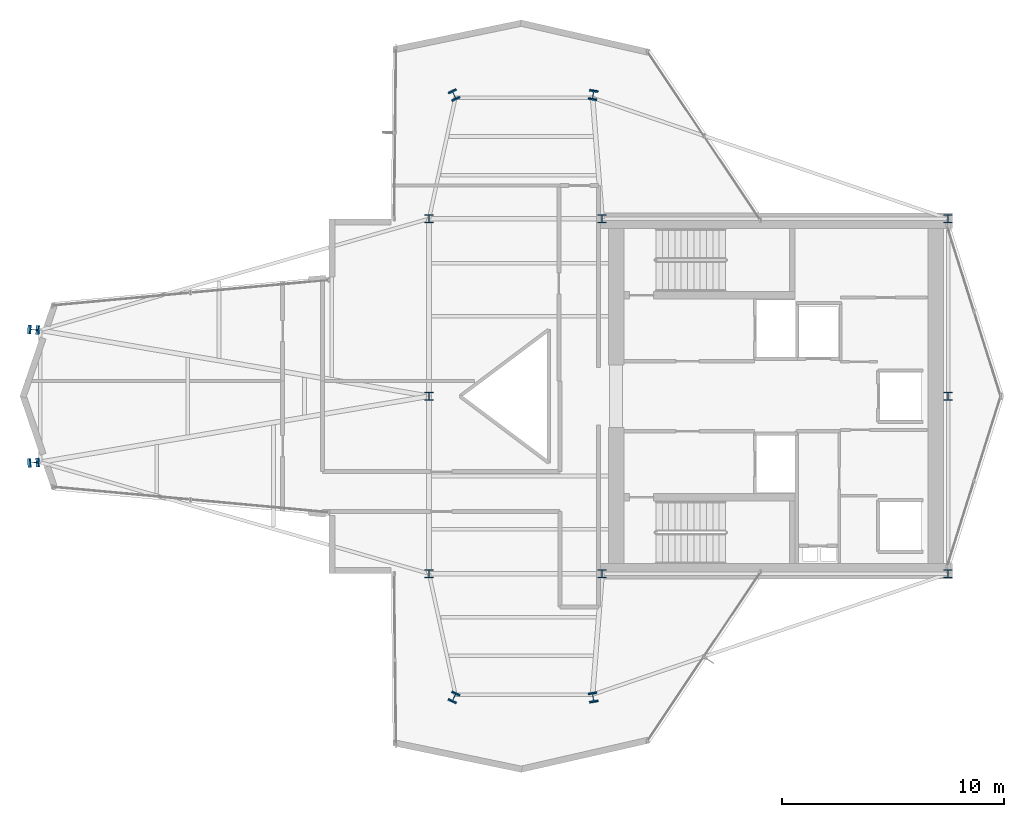
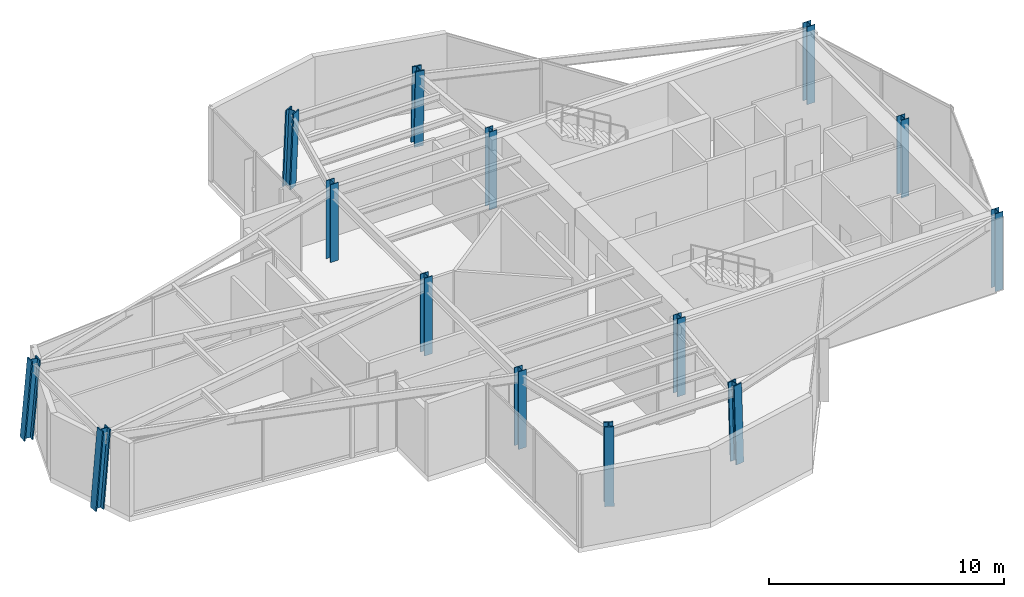
# One storey, part 1 of 21: 14 columns.
"""IFC4 building model written with IfcOpenShell, lengths in metres."""

from ifc_helpers import new_model, si_unit, direction, frame, origin, origin_2d, place, context, subcontext, project, spatial, i_section, extrude, material, material_profile, profile_set, type_object, element, save


model = new_model("IFC4")

# Units and contexts
model_context = context("Model", 3, precision=1e-05, world=origin(), true_north=direction((0.0, 1.0)))
body_context = subcontext(model_context, "Body", "Model", "MODEL_VIEW")
ifc_project = project(units=[si_unit("LENGTHUNIT", "METRE"), si_unit("AREAUNIT", "SQUARE_METRE"), si_unit("VOLUMEUNIT", "CUBIC_METRE"), si_unit("PLANEANGLEUNIT", "RADIAN"), si_unit("MASSUNIT", "GRAM", prefix="KILO")], contexts=[model_context])

# Site, building, storey
site_placement = place(None, origin())
site = spatial("IfcSite", under=ifc_project, at=site_placement, CompositionType="ELEMENT")
building_placement = place(site_placement, origin())
building = spatial("IfcBuilding", under=site, at=building_placement, Name="Veymaron Broadcast Tower", CompositionType="ELEMENT")
storey_placement = place(building_placement, frame((0.0, 0.0, 212.10009765625)))
storey = spatial("IfcBuildingStorey", under=building, at=storey_placement, Name="L49", CompositionType="ELEMENT", Elevation=212.10009765625)

# Columns
ifc_material_1 = material(Name="Structural steel ASTM A992 Gr 50", Category="steel")
ifc_material_profile_1 = material_profile(ifc_material_1, i_section(OverallWidth=0.39404296875, OverallDepth=0.375, WebThickness=0.017333984375, FlangeThickness=0.027587890625, at=origin_2d()), Name="W360X216")
ifc_profile_set_1 = profile_set([ifc_material_profile_1], Name="Structural steel ASTM A992 Gr 50")
column_type_1 = type_object("IfcColumnType", Name="COL-HC3", PredefinedType="COLUMN", material=ifc_profile_set_1)
for number, where, z_axis, x_axis, name in (
    (1, (31.199951171875, 16.0, 0.0), (0.0, 0.0, 1.0), (1.0, 0.0, 0.0), "L49 structural hub and core column"),
    (2, (31.199951171875, 24.0, 0.0), (0.0, 0.0, 1.0), (1.0, 0.0, 0.0), "L49 structural hub and core column"),
    (3, (31.199951171875, 32.0, 0.0), (0.0, 0.0, 1.0), (1.0, 0.0, 0.0), "L49 structural hub and core column"),
    (4, (39.0, 16.0, 0.0), (0.0, 0.0, 1.0), (1.0, 0.0, 0.0), "L49 structural hub and core column"),
    (5, (39.0, 32.0, 0.0), (0.0, 0.0, 1.0), (1.0, 0.0, 0.0), "L49 structural hub and core column"),
    (6, (54.60009765625, 16.0, 0.0), (0.0, 0.0, 1.0), (1.0, 0.0, 0.0), "L49 structural hub and core column"),
    (7, (54.60009765625, 24.0, 0.0), (0.0, 0.0, 1.0), (1.0, 0.0, 0.0), "L49 structural hub and core column"),
    (8, (54.60009765625, 32.0, 0.0), (0.0, 0.0, 1.0), (1.0, 0.0, 0.0), "L49 structural hub and core column"),
):
    element("IfcColumn", number, at=place(storey_placement, frame(where, z_axis=z_axis, x_axis=x_axis)), inside=storey, type_object=column_type_1, Name=name, PredefinedType="COLUMN", context=body_context, shape_type="SweptSolid", body=[
        extrude(i_section(OverallWidth=0.39404296875, OverallDepth=0.375, WebThickness=0.017333984375, FlangeThickness=0.027587890625, at=origin_2d()), origin(), (0.0, 0.0, 1.0), 4.0439453125),
    ])
ifc_material_2 = material(Name="Structural steel ASTM A913 Gr 65", Category="steel")
ifc_material_profile_2 = material_profile(ifc_material_2, i_section(OverallWidth=0.412109375, OverallDepth=0.43505859375, WebThickness=0.035888671875, FlangeThickness=0.05810546875, at=origin_2d()), Name="W360X463")
ifc_profile_set_2 = profile_set([ifc_material_profile_2], Name="Structural steel ASTM A913 Gr 65")
column_type_2 = type_object("IfcColumnType", Name="COL-MC3", PredefinedType="COLUMN", material=ifc_profile_set_2)
for number, where, z_axis, x_axis, name in (
    (9, (13.320068359375, 21.0, 0.015869140625), (0.085538590232, 0.006174760229, 0.996315724014), (-0.071999487784, 0.997404669008, 0.0), "L49 Tapered Wing Mega Column"),
    (10, (13.320068359375, 27.0, 0.015869140625), (0.085538590232, -0.006174760229, 0.996315724014), (0.071999487784, 0.997404669008, 0.0), "L49 Tapered Wing Mega Column"),
):
    element("IfcColumn", number, at=place(storey_placement, frame(where, z_axis=z_axis, x_axis=x_axis)), inside=storey, type_object=column_type_2, Name=name, PredefinedType="COLUMN", context=body_context, shape_type="SweptSolid", body=[
        extrude(i_section(OverallWidth=0.412109375, OverallDepth=0.43505859375, WebThickness=0.035888671875, FlangeThickness=0.05810546875, at=origin_2d()), origin(), (0.0, 0.0, 1.0), 4.032958984375),
    ])
column_1_placement = place(storey_placement, frame((32.320068359375, 37.60009765625, 0.015869140625), z_axis=(0.017362829439, -0.037336154213, 0.999151912245), x_axis=(0.906747333095, 0.421674369537, 0.0)))
element("IfcColumn", 11, at=column_1_placement, inside=storey, type_object=column_type_2, Name="L49 Tapered Wing Mega Column", PredefinedType="COLUMN", context=body_context, shape_type="SweptSolid", body=[
    extrude(i_section(OverallWidth=0.412109375, OverallDepth=0.43505859375, WebThickness=0.035888671875, FlangeThickness=0.05810546875, at=origin_2d()), origin(), (0.0, 0.0, 1.0), 4.021484375),
])
column_2_placement = place(storey_placement, frame((38.60009765625, 37.60009765625, 0.015869140625), z_axis=(-0.006253867425, -0.037341053069, 0.999283010412), x_axis=(0.986263587143, -0.165179104839, 0.0)))
element("IfcColumn", 12, at=column_2_placement, inside=storey, type_object=column_type_2, Name="L49 Tapered Wing Mega Column", PredefinedType="COLUMN", context=body_context, shape_type="SweptSolid", body=[
    extrude(i_section(OverallWidth=0.412109375, OverallDepth=0.43505859375, WebThickness=0.035888671875, FlangeThickness=0.05810546875, at=origin_2d()), origin(), (0.0, 0.0, 1.0), 4.02099609375),
])
column_3_placement = place(storey_placement, frame((32.320068359375, 10.39990234375, 0.015869140625), z_axis=(0.017362829439, 0.037336154213, 0.999151912245), x_axis=(-0.906747333095, 0.421674369537, 0.0)))
element("IfcColumn", 13, at=column_3_placement, inside=storey, type_object=column_type_2, Name="L49 Tapered Wing Mega Column", PredefinedType="COLUMN", context=body_context, shape_type="SweptSolid", body=[
    extrude(i_section(OverallWidth=0.412109375, OverallDepth=0.43505859375, WebThickness=0.035888671875, FlangeThickness=0.05810546875, at=origin_2d()), origin(), (0.0, 0.0, 1.0), 4.021484375),
])
column_4_placement = place(storey_placement, frame((38.60009765625, 10.39990234375, 0.015869140625), z_axis=(-0.006253867425, 0.037341053069, 0.999283010412), x_axis=(-0.986263587143, -0.165179104839, 0.0)))
element("IfcColumn", 14, at=column_4_placement, inside=storey, type_object=column_type_2, Name="L49 Tapered Wing Mega Column", PredefinedType="COLUMN", context=body_context, shape_type="SweptSolid", body=[
    extrude(i_section(OverallWidth=0.412109375, OverallDepth=0.43505859375, WebThickness=0.035888671875, FlangeThickness=0.05810546875, at=origin_2d()), origin(), (0.0, 0.0, 1.0), 4.02099609375),
])

save(model, "model.ifc")
